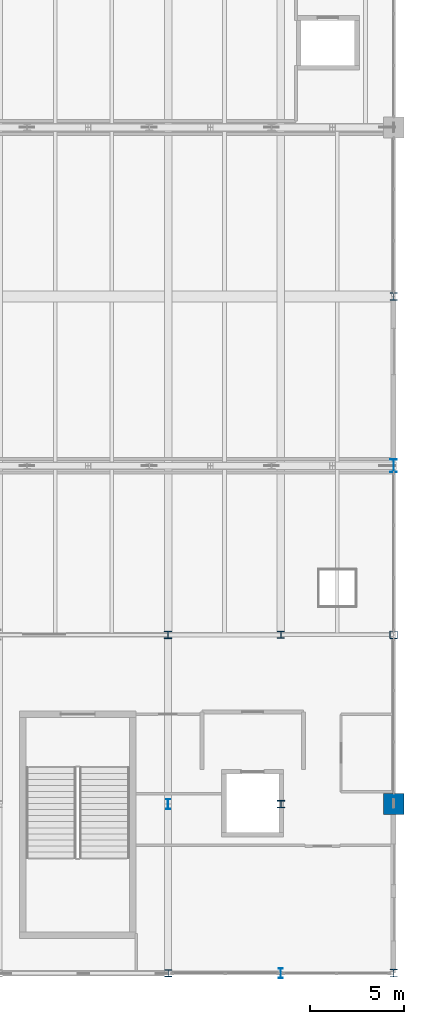
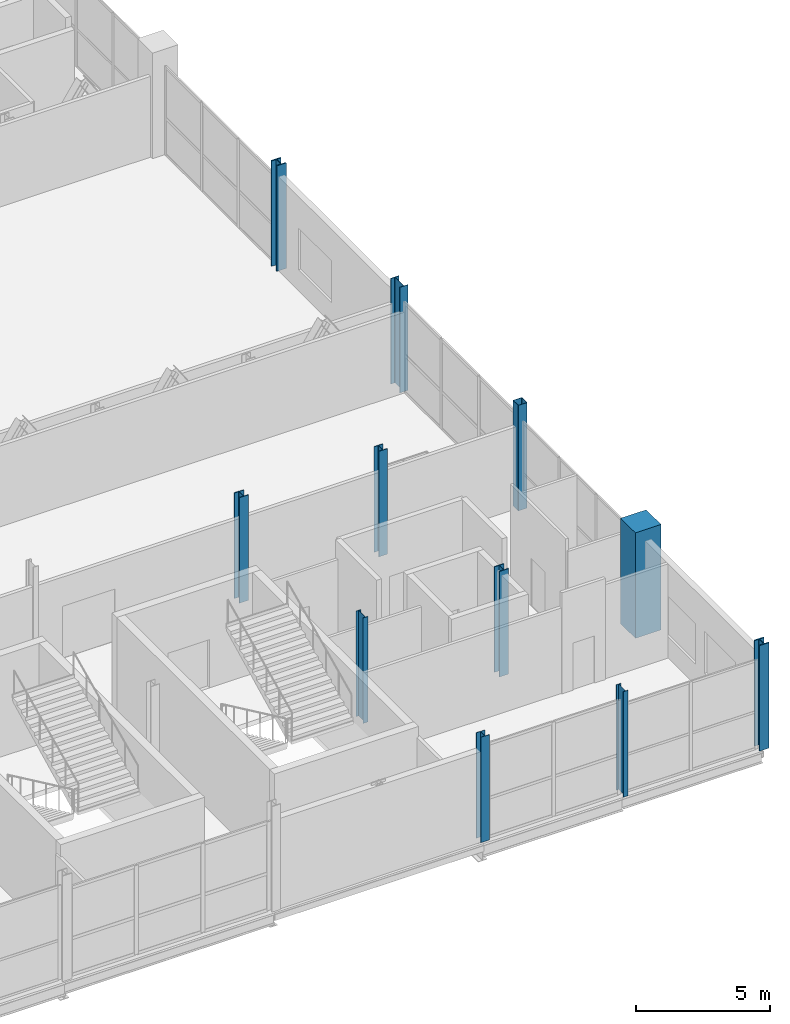
# One storey, part 12 of 224: 11 columns.
"""IFC4 building model written with IfcOpenShell, lengths in metres."""

from ifc_helpers import new_model, si_unit, direction, frame, origin, origin_2d, place, context, subcontext, project, spatial, rectangle, hollow_rectangle, i_section, extrude, material, material_profile, profile_set, type_object, element, save


model = new_model("IFC4")

# Units and contexts
model_context = context("Model", 3, precision=1e-05, world=origin(), true_north=direction((0.0, 1.0)))
body_context = subcontext(model_context, "Body", "Model", "MODEL_VIEW")
ifc_project = project(units=[si_unit("LENGTHUNIT", "METRE"), si_unit("AREAUNIT", "SQUARE_METRE"), si_unit("VOLUMEUNIT", "CUBIC_METRE"), si_unit("PLANEANGLEUNIT", "RADIAN"), si_unit("MASSUNIT", "GRAM", prefix="KILO")], contexts=[model_context])

# Site, building, storey
site_placement = place(None, origin())
site = spatial("IfcSite", under=ifc_project, at=site_placement, CompositionType="ELEMENT")
building_placement = place(site_placement, origin())
building = spatial("IfcBuilding", under=site, at=building_placement, Name="Qamarlyn Nura Convention Centre", CompositionType="ELEMENT")
storey_placement = place(building_placement, frame((0.0, 0.0, 10.800048828125)))
storey = spatial("IfcBuildingStorey", under=building, at=storey_placement, Name="L02", CompositionType="ELEMENT", Elevation=10.800048828125)

# Columns
ifc_material_1 = material(Name="Steel ASTM A500 Grade C", Category="steel")
ifc_material_profile_1 = material_profile(ifc_material_1, hollow_rectangle(XDim=0.39990234375, YDim=0.39990234375, WallThickness=0.01611328125, InnerFilletRadius=0.01611328125, OuterFilletRadius=0.031982421875, at=origin_2d()), Name="HSS400X400X16")
ifc_profile_set_1 = profile_set([ifc_material_profile_1], Name="Steel ASTM A500 Grade C")
column_type_1 = type_object("IfcColumnType", Name="COL-HSS-1", PredefinedType="COLUMN", material=ifc_profile_set_1)
column_1_placement = place(storey_placement, frame((192.0, 18.0, 0.0), z_axis=(0.0, 0.0, 1.0), x_axis=(1.0, 0.0, 0.0)))
element("IfcColumn", 1, at=column_1_placement, inside=storey, type_object=column_type_1, Name="L02 column 18/C", PredefinedType="COLUMN", context=body_context, shape_type="SweptSolid", body=[
    extrude(hollow_rectangle(XDim=0.39990234375, YDim=0.39990234375, WallThickness=0.01611328125, InnerFilletRadius=0.01611328125, OuterFilletRadius=0.031982421875, at=origin_2d()), origin(), (0.0, 0.0, 1.0), 4.800048828125),
])
ifc_material_2 = material(Name="Steel ASTM A992", Category="steel")
ifc_material_profile_2 = material_profile(ifc_material_2, i_section(OverallWidth=0.408935546875, OverallDepth=0.425048828125, WebThickness=0.030517578125, FlangeThickness=0.049072265625, FilletRadius=0.02001953125, at=origin_2d()), Name="W360X421")
ifc_profile_set_2 = profile_set([ifc_material_profile_2], Name="Steel ASTM A992")
column_type_2 = type_object("IfcColumnType", Name="COL-MEGA-1", PredefinedType="COLUMN", material=ifc_profile_set_2)
for number, where, z_axis, x_axis, name in (
    (2, (192.0, 0.0, 0.0), (0.0, 0.0, 1.0), (1.0, 0.0, 0.0), "L02 column 18/A"),
    (3, (192.0, 36.0, 0.0), (0.0, 0.0, 1.0), (1.0, 0.0, 0.0), "L02 column 18/E"),
):
    element("IfcColumn", number, at=place(storey_placement, frame(where, z_axis=z_axis, x_axis=x_axis)), inside=storey, type_object=column_type_2, Name=name, PredefinedType="COLUMN", context=body_context, shape_type="SweptSolid", body=[
        extrude(i_section(OverallWidth=0.408935546875, OverallDepth=0.425048828125, WebThickness=0.030517578125, FlangeThickness=0.049072265625, FilletRadius=0.02001953125, at=origin_2d()), origin(), (0.0, 0.0, 1.0), 4.800048828125),
    ])
ifc_material_3 = material(Name="Concrete C50/60", Category="concrete")
ifc_material_profile_3 = material_profile(ifc_material_3, rectangle(XDim=1.10009765625, YDim=1.10009765625, at=origin_2d()), Name="RC 1100x1100")
ifc_profile_set_3 = profile_set([ifc_material_profile_3], Name="Concrete C50/60")
column_type_3 = type_object("IfcColumnType", Name="COL-MEGA-2", PredefinedType="COLUMN", material=ifc_profile_set_3)
column_2_placement = place(storey_placement, frame((192.0, 9.0, 0.0), z_axis=(0.0, 0.0, 1.0), x_axis=(1.0, 0.0, 0.0)))
element("IfcColumn", 4, at=column_2_placement, inside=storey, type_object=column_type_3, Name="L02 column 18/B", PredefinedType="COLUMN", context=body_context, shape_type="SweptSolid", body=[
    extrude(rectangle(XDim=1.10009765625, YDim=1.10009765625, at=origin_2d()), origin(), (0.0, 0.0, 1.0), 4.800048828125),
])
ifc_material_profile_4 = material_profile(ifc_material_2, i_section(OverallWidth=0.39892578125, OverallDepth=0.39306640625, WebThickness=0.022705078125, FlangeThickness=0.03662109375, FilletRadius=0.01806640625, at=origin_2d()), Name="W360X287")
ifc_profile_set_4 = profile_set([ifc_material_profile_4], Name="Steel ASTM A992")
column_type_4 = type_object("IfcColumnType", Name="COL-WING-1", PredefinedType="COLUMN", material=ifc_profile_set_4)
for number, where, z_axis, x_axis, name in (
    (5, (180.0, 18.0, 0.0), (0.0, 0.0, 1.0), (1.0, 0.0, 0.0), "L02 column 16/C"),
    (6, (186.0, 9.0, 0.0), (0.0, 0.0, 1.0), (1.0, 0.0, 0.0), "L02 column 17/B"),
):
    element("IfcColumn", number, at=place(storey_placement, frame(where, z_axis=z_axis, x_axis=x_axis)), inside=storey, type_object=column_type_4, Name=name, PredefinedType="COLUMN", context=body_context, shape_type="SweptSolid", body=[
        extrude(i_section(OverallWidth=0.39892578125, OverallDepth=0.39306640625, WebThickness=0.022705078125, FlangeThickness=0.03662109375, FilletRadius=0.01806640625, at=origin_2d()), origin(), (0.0, 0.0, 1.0), 4.800048828125),
    ])
ifc_material_profile_5 = material_profile(ifc_material_2, i_section(OverallWidth=0.3740234375, OverallDepth=0.3720703125, WebThickness=0.016357421875, FlangeThickness=0.026123046875, FilletRadius=0.01611328125, at=origin_2d()), Name="W360X196")
ifc_profile_set_5 = profile_set([ifc_material_profile_5], Name="Steel ASTM A992")
column_type_5 = type_object("IfcColumnType", Name="COL-WING-2", PredefinedType="COLUMN", material=ifc_profile_set_5)
column_3_placement = place(storey_placement, frame((186.0, 18.0, 0.0), z_axis=(0.0, 0.0, 1.0), x_axis=(1.0, 0.0, 0.0)))
element("IfcColumn", 7, at=column_3_placement, inside=storey, type_object=column_type_5, Name="L02 column 17/C", PredefinedType="COLUMN", context=body_context, shape_type="SweptSolid", body=[
    extrude(i_section(OverallWidth=0.3740234375, OverallDepth=0.3720703125, WebThickness=0.016357421875, FlangeThickness=0.026123046875, FilletRadius=0.01611328125, at=origin_2d()), origin(), (0.0, 0.0, 1.0), 4.800048828125),
])
ifc_material_profile_6 = material_profile(ifc_material_2, i_section(OverallWidth=0.368896484375, OverallDepth=0.35595703125, WebThickness=0.01123046875, FlangeThickness=0.01806640625, FilletRadius=0.014892578125, at=origin_2d()), Name="W360X134")
ifc_profile_set_6 = profile_set([ifc_material_profile_6], Name="Steel ASTM A992")
column_type_6 = type_object("IfcColumnType", Name="COL-WING-3", PredefinedType="COLUMN", material=ifc_profile_set_6)
column_4_placement = place(storey_placement, frame((180.0, 0.0, 0.0), z_axis=(0.0, 0.0, 1.0), x_axis=(1.0, 0.0, 0.0)))
element("IfcColumn", 8, at=column_4_placement, inside=storey, type_object=column_type_6, Name="L02 column 16/A", PredefinedType="COLUMN", context=body_context, shape_type="SweptSolid", body=[
    extrude(i_section(OverallWidth=0.368896484375, OverallDepth=0.35595703125, WebThickness=0.01123046875, FlangeThickness=0.01806640625, FilletRadius=0.014892578125, at=origin_2d()), origin(), (0.0, 0.0, 1.0), 4.800048828125),
])
ifc_material_profile_7 = material_profile(ifc_material_2, i_section(OverallWidth=0.35498046875, OverallDepth=0.695068359375, WebThickness=0.015380859375, FlangeThickness=0.02490234375, FilletRadius=0.01806640625, at=origin_2d()), Name="W690X217")
ifc_profile_set_7 = profile_set([ifc_material_profile_7], Name="Steel ASTM A992")
column_type_7 = type_object("IfcColumnType", Name="COL-WING-5", PredefinedType="COLUMN", material=ifc_profile_set_7)
column_5_placement = place(storey_placement, frame((192.0, 27.0, 0.0), z_axis=(0.0, 0.0, 1.0), x_axis=(1.0, 0.0, 0.0)))
element("IfcColumn", 9, at=column_5_placement, inside=storey, type_object=column_type_7, Name="L02 column 18/D", PredefinedType="COLUMN", context=body_context, shape_type="SweptSolid", body=[
    extrude(i_section(OverallWidth=0.35498046875, OverallDepth=0.695068359375, WebThickness=0.015380859375, FlangeThickness=0.02490234375, FilletRadius=0.01806640625, at=origin_2d()), origin(), (0.0, 0.0, 1.0), 4.800048828125),
])
ifc_material_profile_8 = material_profile(ifc_material_2, i_section(OverallWidth=0.2109375, OverallDepth=0.5390625, WebThickness=0.01171875, FlangeThickness=0.018798828125, FilletRadius=0.013916015625, at=origin_2d()), Name="W530X109")
ifc_profile_set_8 = profile_set([ifc_material_profile_8], Name="Steel ASTM A992")
column_type_8 = type_object("IfcColumnType", Name="COL-WING-7", PredefinedType="COLUMN", material=ifc_profile_set_8)
for number, where, z_axis, x_axis, name in (
    (10, (180.0, 9.0, 0.0), (0.0, 0.0, 1.0), (1.0, 0.0, 0.0), "L02 column 16/B"),
    (11, (186.0, 0.0, 0.0), (0.0, 0.0, 1.0), (1.0, 0.0, 0.0), "L02 column 17/A"),
):
    element("IfcColumn", number, at=place(storey_placement, frame(where, z_axis=z_axis, x_axis=x_axis)), inside=storey, type_object=column_type_8, Name=name, PredefinedType="COLUMN", context=body_context, shape_type="SweptSolid", body=[
        extrude(i_section(OverallWidth=0.2109375, OverallDepth=0.5390625, WebThickness=0.01171875, FlangeThickness=0.018798828125, FilletRadius=0.013916015625, at=origin_2d()), origin(), (0.0, 0.0, 1.0), 4.800048828125),
    ])

save(model, "model.ifc")
